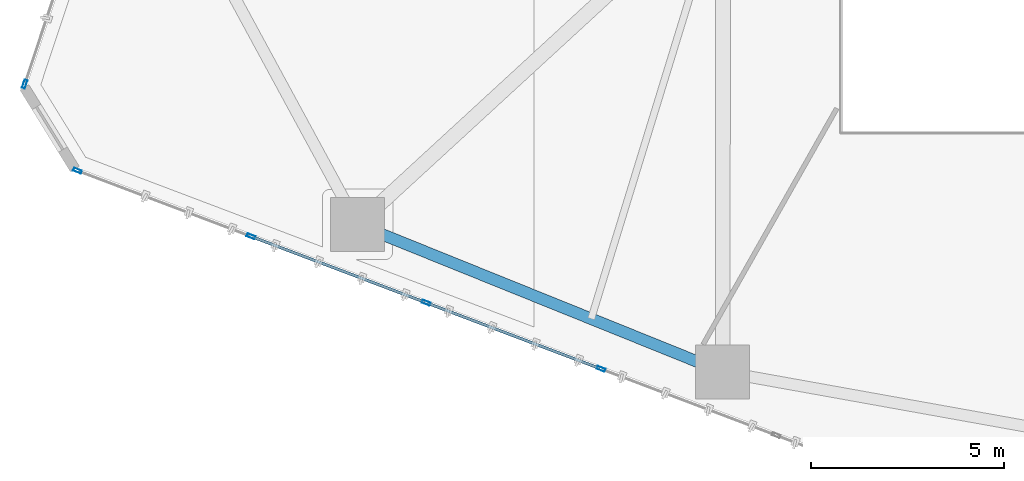
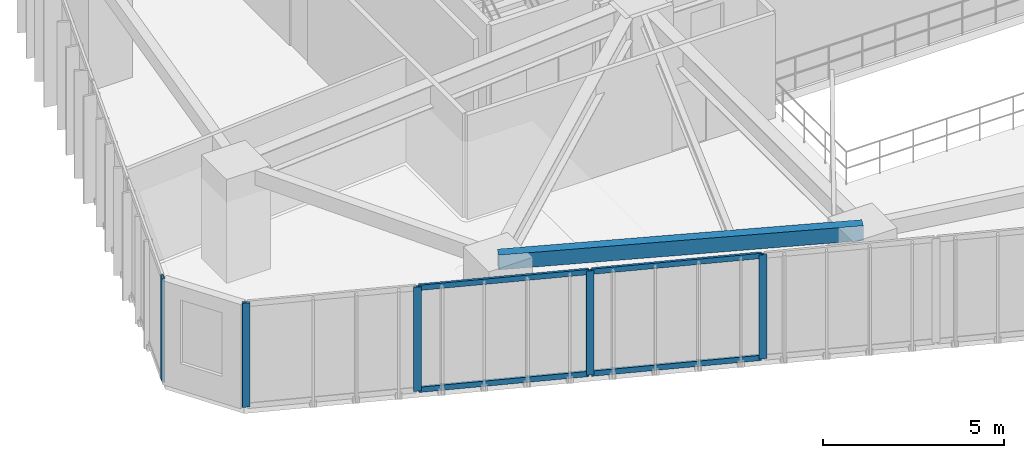
# One storey, part 2 of 23: 9 members, 1 beam, 2 elements without a shape of their own.
"""IFC4 building model written with IfcOpenShell, lengths in metres."""

from ifc_helpers import new_model, si_unit, direction, frame, origin, origin_2d, place, context, subcontext, project, spatial, hollow_rectangle, extrude, source, transform, mapped, material, layer, layer_set, material_profile, profile_set, type_object, type_shapes, element, aggregate, save


model = new_model("IFC4")

# Units and contexts
model_context = context("Model", 3, precision=1e-05, world=origin(), true_north=direction((0.0, 1.0)))
body_context = subcontext(model_context, "Body", "Model", "MODEL_VIEW")
ifc_project = project(units=[si_unit("LENGTHUNIT", "METRE"), si_unit("AREAUNIT", "SQUARE_METRE"), si_unit("VOLUMEUNIT", "CUBIC_METRE"), si_unit("PLANEANGLEUNIT", "RADIAN"), si_unit("MASSUNIT", "GRAM", prefix="KILO")], contexts=[model_context])

# Site, building, storey
site_placement = place(None, origin())
site = spatial("IfcSite", under=ifc_project, at=site_placement, CompositionType="ELEMENT")
building_placement = place(site_placement, origin())
building = spatial("IfcBuilding", under=site, at=building_placement, Name="Talar Marvaseh", CompositionType="ELEMENT")
storey_placement = place(building_placement, frame((0.0, 0.0, 27.800048828125)))
storey = spatial("IfcBuildingStorey", under=building, at=storey_placement, Name="L06", CompositionType="ELEMENT", Elevation=27.800048828125)

# Beam
ifc_material_1 = material(Name="Steel S355", Category="steel")
ifc_material_profile_1 = material_profile(ifc_material_1, hollow_rectangle(XDim=0.300048828125, YDim=0.5, WallThickness=0.02001953125, at=origin_2d()), Name="RHS500x300x20")
ifc_profile_set_1 = profile_set([ifc_material_profile_1], Name="Steel S355")
beam_type = type_object("IfcBeamType", Name="Zone 1 Perimeter Spandrel Beam RHS500x300x20", PredefinedType="SPANDREL", material=ifc_profile_set_1)
beam_placement = place(storey_placement, frame((18.68310546875, 12.97900390625, 3.27001953125), z_axis=(-0.927239278118, 0.374469386084, 0.0), x_axis=(-0.374469386084, -0.927239278118, 0.0)))
element("IfcBeam", 1, at=beam_placement, inside=storey, type_object=beam_type, Name="L06 Zone 1 Perimeter Spandrel Beam RHS500x300x20", PredefinedType="SPANDREL", context=body_context, shape_type="SweptSolid", body=[
    extrude(hollow_rectangle(XDim=0.300048828125, YDim=0.5, WallThickness=0.02001953125, at=origin_2d()), origin(), (0.0, 0.0, 1.0), 10.19287109375),
])

# Curtain wall, member
ifc_material_2 = material(Name="Architectural Aluminium", Category="aluminium")
ifc_layer = layer(ifc_material_2, 0.219970703125)
ifc_layer_set = layer_set([ifc_layer], Name="Architectural Aluminium")
curtain_wall_type = type_object("IfcCurtainWallType", Name="Unitised Low-E Museum Curtain Wall Z1", PredefinedType="NOTDEFINED", material=ifc_layer_set)
curtain_wall_1_placement = place(storey_placement, origin())
curtain_wall_1 = element("IfcCurtainWall", 2, at=curtain_wall_1_placement, inside=storey, type_object=curtain_wall_type, Name="L06 Unitised Low-E Museum Curtain Wall Z1", PredefinedType="NOTDEFINED")
ifc_material_profile_2 = material_profile(ifc_material_2, hollow_rectangle(XDim=0.080078125, YDim=0.219970703125, WallThickness=0.0048828125, at=origin_2d()), Name="RHS220x80x5")
ifc_profile_set_2 = profile_set([ifc_material_profile_2], Name="Architectural Aluminium")
member_type_1 = type_object("IfcMemberType", Name="Unitised Curtain Wall Heavy Mullion RHS220x80x5", PredefinedType="MULLION", material=ifc_profile_set_2)
shared_shape_1 = source(origin(), body_context, "Body", "SweptSolid", [
    extrude(hollow_rectangle(XDim=0.080078125, YDim=0.219970703125, WallThickness=0.0048828125, at=origin_2d()), origin(), (0.0, 0.0, 1.0), 3.52001953125),
])
type_shapes(member_type_1, [shared_shape_1])
member_1_placement = place(storey_placement, frame((0.615234375, 20.430419921875, 0.0), z_axis=(0.0, 0.0, 1.0), x_axis=(-0.948853923335, 0.3157154291, 0.0)))
member_1 = element("IfcMember", 3, at=member_1_placement, type_object=member_type_1, Name="CW-Z1 mullion 1", PredefinedType="MULLION", context=body_context, shape_type="MappedRepresentation", body=[
    mapped(shared_shape_1, transform((0.0, 0.0, 0.0), x_axis=(1.0, 0.0, 0.0), y_axis=(0.0, 1.0, 0.0), z_axis=(0.0, 0.0, 1.0), scale=1.0)),
])
aggregate(curtain_wall_1, [member_1])

# Curtain wall, members
curtain_wall_2_placement = place(storey_placement, origin())
curtain_wall_2 = element("IfcCurtainWall", 4, at=curtain_wall_2_placement, inside=storey, type_object=curtain_wall_type, Name="L06 Unitised Low-E Museum Curtain Wall Z1", PredefinedType="NOTDEFINED")
member_2_placement = place(storey_placement, frame((15.53662109375, 13.055419921875, 0.0), z_axis=(0.0, 0.0, 1.0), x_axis=(-0.354147373167, -0.935189626802, 0.0)))
member_2 = element("IfcMember", 5, at=member_2_placement, type_object=member_type_1, Name="CW-Z1 mullion 3", PredefinedType="MULLION", context=body_context, shape_type="MappedRepresentation", body=[
    mapped(shared_shape_1, transform((0.0, 0.0, 0.0), x_axis=(1.0, 0.0, 0.0), y_axis=(0.0, 1.0, 0.0), z_axis=(0.0, 0.0, 1.0), scale=1.0)),
])
member_3_placement = place(storey_placement, frame((11.00537109375, 14.771484375, 0.0), z_axis=(0.0, 0.0, 1.0), x_axis=(-0.354147373167, -0.935189626802, 0.0)))
member_3 = element("IfcMember", 6, at=member_3_placement, type_object=member_type_1, Name="CW-Z1 mullion 4", PredefinedType="MULLION", context=body_context, shape_type="MappedRepresentation", body=[
    mapped(shared_shape_1, transform((0.0, 0.0, 0.0), x_axis=(1.0, 0.0, 0.0), y_axis=(0.0, 1.0, 0.0), z_axis=(0.0, 0.0, 1.0), scale=1.0)),
])
member_4_placement = place(storey_placement, frame((6.47412109375, 16.487548828125, 0.0), z_axis=(0.0, 0.0, 1.0), x_axis=(-0.354147373167, -0.935189626802, 0.0)))
member_4 = element("IfcMember", 7, at=member_4_placement, type_object=member_type_1, Name="CW-Z1 mullion 5", PredefinedType="MULLION", context=body_context, shape_type="MappedRepresentation", body=[
    mapped(shared_shape_1, transform((0.0, 0.0, 0.0), x_axis=(1.0, 0.0, 0.0), y_axis=(0.0, 1.0, 0.0), z_axis=(0.0, 0.0, 1.0), scale=1.0)),
])
member_5_placement = place(storey_placement, frame((1.980224609375, 18.189208984375, 0.0), z_axis=(0.0, 0.0, 1.0), x_axis=(-0.354147373167, -0.935189626802, 0.0)))
member_5 = element("IfcMember", 8, at=member_5_placement, type_object=member_type_1, Name="CW-Z1 mullion 6", PredefinedType="MULLION", context=body_context, shape_type="MappedRepresentation", body=[
    mapped(shared_shape_1, transform((0.0, 0.0, 0.0), x_axis=(1.0, 0.0, 0.0), y_axis=(0.0, 1.0, 0.0), z_axis=(0.0, 0.0, 1.0), scale=1.0)),
])
ifc_material_profile_3 = material_profile(ifc_material_2, hollow_rectangle(XDim=0.074951171875, YDim=0.179931640625, WallThickness=0.0048828125, at=origin_2d()), Name="RHS180x75x5")
ifc_profile_set_3 = profile_set([ifc_material_profile_3], Name="Architectural Aluminium")
member_type_2 = type_object("IfcMemberType", Name="Unitised Curtain Wall Transom RHS180x75x5", PredefinedType="USERDEFINED", material=ifc_profile_set_3)
shared_shape_2 = source(origin(), body_context, "Body", "SweptSolid", [
    extrude(hollow_rectangle(XDim=0.074951171875, YDim=0.179931640625, WallThickness=0.0048828125, at=origin_2d()), origin(), (0.0, 0.0, 1.0), 4.765380859375),
])
member_6_placement = place(storey_placement, frame((15.499267578125, 13.069580078125, 0.037353515625), z_axis=(-0.935183099672, 0.354164608745, 0.0), x_axis=(-0.354164608745, -0.935183099672, 0.0)))
member_6 = element("IfcMember", 9, at=member_6_placement, type_object=member_type_2, Name="CW-Z1 transom 3.1", ObjectType="TRANSOM", PredefinedType="USERDEFINED", context=body_context, shape_type="MappedRepresentation", body=[
    mapped(shared_shape_2, transform((0.0, 0.0, 0.0), x_axis=(1.0, 0.0, 0.0), y_axis=(0.0, 1.0, 0.0), z_axis=(0.0, 0.0, 1.0), scale=1.0)),
])
member_7_placement = place(storey_placement, frame((15.499267578125, 13.069580078125, 3.482421875), z_axis=(-0.935183099672, 0.354164608745, 0.0), x_axis=(-0.354164608745, -0.935183099672, 0.0)))
member_7 = element("IfcMember", 10, at=member_7_placement, type_object=member_type_2, Name="CW-Z1 transom 3.2", ObjectType="TRANSOM", PredefinedType="USERDEFINED", context=body_context, shape_type="MappedRepresentation", body=[
    mapped(shared_shape_2, transform((0.0, 0.0, 0.0), x_axis=(1.0, 0.0, 0.0), y_axis=(0.0, 1.0, 0.0), z_axis=(0.0, 0.0, 1.0), scale=1.0)),
])
shared_shape_3 = source(origin(), body_context, "Body", "SweptSolid", [
    extrude(hollow_rectangle(XDim=0.074951171875, YDim=0.179931640625, WallThickness=0.0048828125, at=origin_2d()), origin(), (0.0, 0.0, 1.0), 4.76513671875),
])
type_shapes(member_type_2, [shared_shape_2, shared_shape_3])
member_8_placement = place(storey_placement, frame((10.9677734375, 14.78564453125, 0.037353515625), z_axis=(-0.935176673089, 0.354181577881, 0.0), x_axis=(-0.354181577881, -0.935176673089, 0.0)))
member_8 = element("IfcMember", 11, at=member_8_placement, type_object=member_type_2, Name="CW-Z1 transom 4.1", ObjectType="TRANSOM", PredefinedType="USERDEFINED", context=body_context, shape_type="MappedRepresentation", body=[
    mapped(shared_shape_3, transform((0.0, 0.0, 0.0), x_axis=(1.0, 0.0, 0.0), y_axis=(0.0, 1.0, 0.0), z_axis=(0.0, 0.0, 1.0), scale=1.0)),
])
member_9_placement = place(storey_placement, frame((10.9677734375, 14.78564453125, 3.482421875), z_axis=(-0.935176673089, 0.354181577881, 0.0), x_axis=(-0.354181577881, -0.935176673089, 0.0)))
member_9 = element("IfcMember", 12, at=member_9_placement, type_object=member_type_2, Name="CW-Z1 transom 4.2", ObjectType="TRANSOM", PredefinedType="USERDEFINED", context=body_context, shape_type="MappedRepresentation", body=[
    mapped(shared_shape_3, transform((0.0, 0.0, 0.0), x_axis=(1.0, 0.0, 0.0), y_axis=(0.0, 1.0, 0.0), z_axis=(0.0, 0.0, 1.0), scale=1.0)),
])
aggregate(curtain_wall_2, [member_2, member_3, member_4, member_5, member_6, member_7, member_8, member_9])

save(model, "model.ifc")
